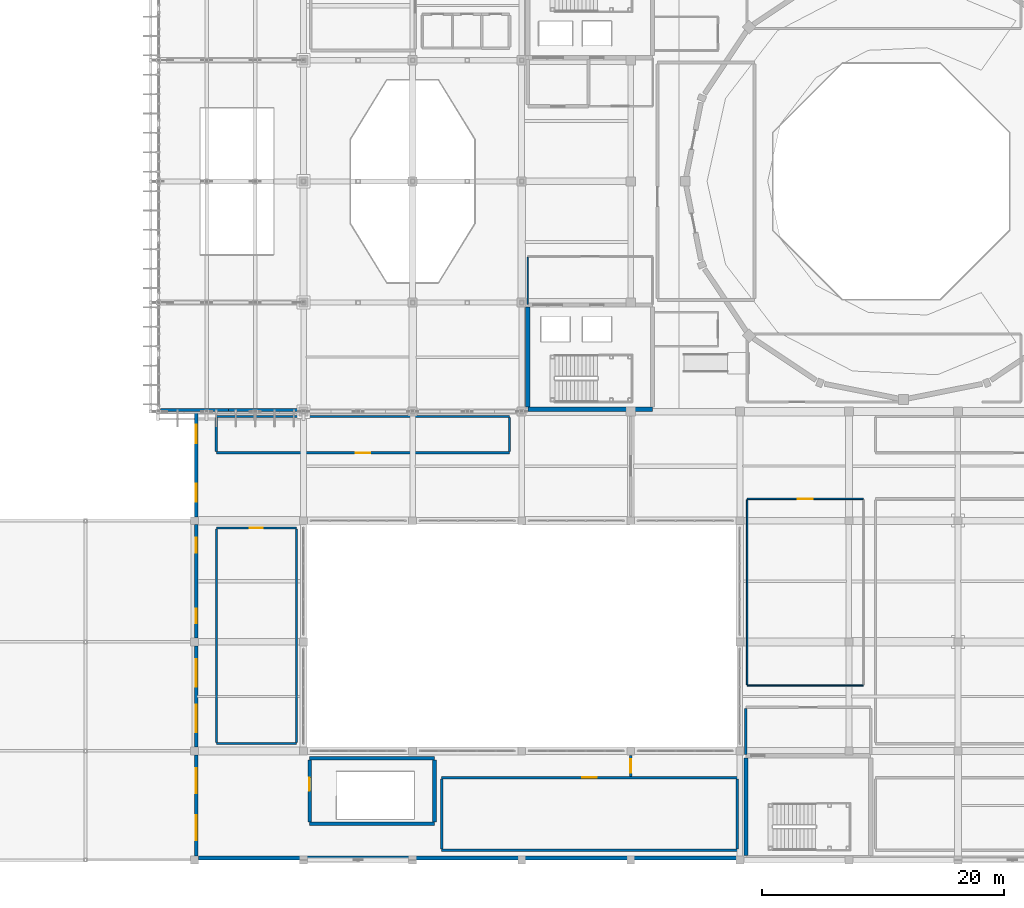
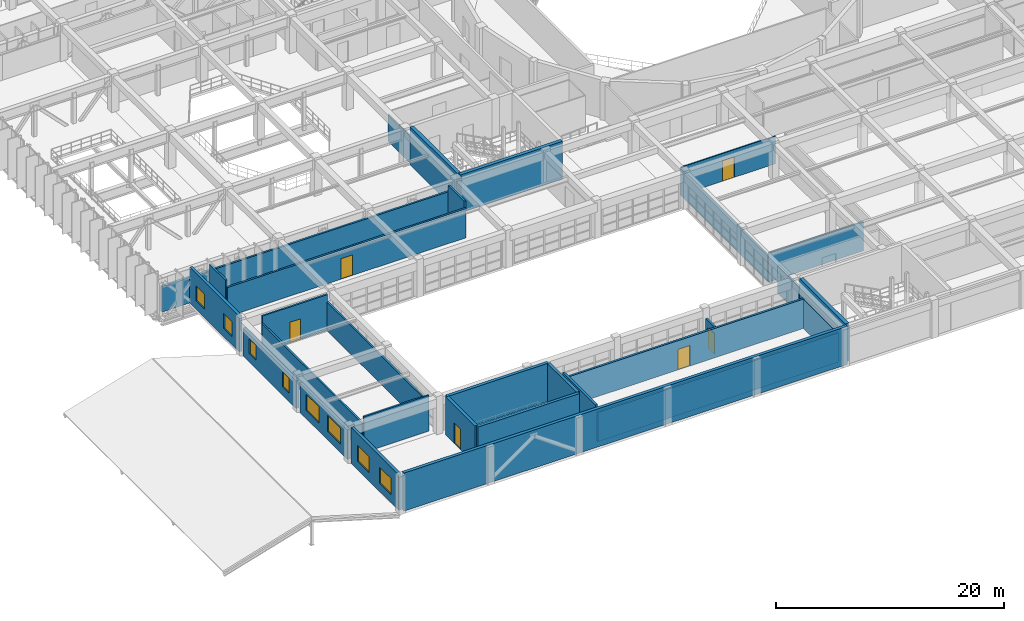
# One storey, part 108 of 130: 32 walls, 8 windows, 6 doors, 14 openings.
"""IFC4 building model written with IfcOpenShell, lengths in metres."""

from ifc_helpers import new_model, si_unit, direction, frame, frame_2d, origin, place, context, subcontext, project, spatial, rectangle, extrude, material, layer, layer_set, type_object, element, fill, save


model = new_model("IFC4")

# Units and contexts
model_context = context("Model", 3, precision=1e-05, world=origin(), true_north=direction((0.0, 1.0)))
body_context = subcontext(model_context, "Body", "Model", "MODEL_VIEW")
ifc_project = project(units=[si_unit("LENGTHUNIT", "METRE"), si_unit("AREAUNIT", "SQUARE_METRE"), si_unit("VOLUMEUNIT", "CUBIC_METRE"), si_unit("PLANEANGLEUNIT", "RADIAN"), si_unit("MASSUNIT", "GRAM", prefix="KILO")], contexts=[model_context])

# Site, building, storey
site_placement = place(None, origin())
site = spatial("IfcSite", under=ifc_project, at=site_placement, CompositionType="ELEMENT")
building_placement = place(site_placement, origin())
building = spatial("IfcBuilding", under=site, at=building_placement, Name="Miravela Opera House", CompositionType="ELEMENT")
storey_placement = place(building_placement, frame((0.0, 0.0, 9.52001953125)))
storey = spatial("IfcBuildingStorey", under=building, at=storey_placement, Name="L02", CompositionType="ELEMENT", Elevation=9.52001953125)

# Walls
ifc_material_1 = material(Name="Insulated bronze standing-seam acoustic wall")
ifc_layer_1 = layer(ifc_material_1, 0.260009765625)
ifc_layer_set_1 = layer_set([ifc_layer_1])
wall_type_1 = type_object("IfcWallType", Name="ARC-EW-CLAD-260", PredefinedType="STANDARD", material=ifc_layer_set_1)
wall_1_placement = place(storey_placement, frame((15.199951171875, 37.1298828125, 0.0), z_axis=(0.0, 0.0, 1.0), x_axis=(1.0, 0.0, 0.0)))
element("IfcWall", 1, at=wall_1_placement, inside=storey, type_object=wall_type_1, Name="Cantilever Truss CT-01 South Bronze Cladding Bay 1", PredefinedType="STANDARD", context=body_context, shape_type="SweptSolid", body=[
    extrude(rectangle(XDim=5.60009765625, YDim=0.260009765625, at=frame_2d((2.800048828125, 0.0))), origin(), (0.0, 0.0, 1.0), 2.7138671875),
])
wall_2_placement = place(storey_placement, frame((20.800048828125, 37.1298828125, 0.0), z_axis=(0.0, 0.0, 1.0), x_axis=(1.0, 0.0, 0.0)))
element("IfcWall", 2, at=wall_2_placement, inside=storey, type_object=wall_type_1, Name="Cantilever Truss CT-01 South Bronze Cladding Bay 2", PredefinedType="STANDARD", context=body_context, shape_type="SweptSolid", body=[
    extrude(rectangle(XDim=5.824951171875, YDim=0.260009765625, at=frame_2d((2.91259765625, 0.0))), origin(), (0.0, 0.0, 1.0), 2.7138671875),
])

# Wall, openings, windows
ifc_material_2 = material(Name="Insulated cream lime-stuccoed masonry", Category="masonry")
ifc_layer_2 = layer(ifc_material_2, 0.2900390625)
ifc_layer_set_2 = layer_set([ifc_layer_2])
wall_type_2 = type_object("IfcWallType", Name="ARC-EW-STUCCO-290", PredefinedType="STANDARD", material=ifc_layer_set_2)
wall_3_placement = place(storey_placement, frame((18.14990234375, 0.324951171875, 0.0), z_axis=(0.0, 0.0, 1.0), x_axis=(0.0, 1.0, 0.0)))
wall_3 = element("IfcWall", 3, at=wall_3_placement, inside=storey, type_object=wall_type_2, Name="Spanish Colonial Stucco Facade Wall L02-022", PredefinedType="STANDARD", context=body_context, shape_type="SweptSolid", body=[
    extrude(rectangle(XDim=8.35009765625, YDim=0.2900390625, at=frame_2d((4.175048828125, 0.0))), origin(), (0.0, 0.0, 1.0), 3.840087890625),
])
opening_1_placement = place(wall_3_placement, frame((1.324951171875, 0.0, 0.89990234375)))
opening_1 = element("IfcOpeningElement", 4, at=opening_1_placement, cuts=wall_3, Name="Opening W-33", PredefinedType="OPENING", context=body_context, shape_type="SweptSolid", body=[
    extrude(rectangle(XDim=2.06005859375, YDim=1.719970703125, at=frame_2d((1.030029296875, 0.85986328125))), frame((0.0, 0.155029296875, 0.0), z_axis=(0.0, -1.0, 0.0), x_axis=(1.0, 0.0, 0.0)), (0.0, 0.0, 1.0), 0.31005859375),
])
opening_2_placement = place(wall_3_placement, frame((5.18994140625, 0.0, 0.89990234375)))
opening_2 = element("IfcOpeningElement", 5, at=opening_2_placement, cuts=wall_3, Name="Opening W-33", PredefinedType="OPENING", context=body_context, shape_type="SweptSolid", body=[
    extrude(rectangle(XDim=2.06005859375, YDim=1.719970703125, at=frame_2d((1.030029296875, 0.85986328125))), frame((0.0, 0.155029296875, 0.0), z_axis=(0.0, -1.0, 0.0), x_axis=(1.0, 0.0, 0.0)), (0.0, 0.0, 1.0), 0.31005859375),
])
ifc_material_3 = material(Name="Bronze-anodised aluminium and acoustic low-E glass", Category="aluminium")
window_type_1 = type_object("IfcWindowType", Name="ARC-WIN-33", PartitioningType="DOUBLE_PANEL_VERTICAL", PredefinedType="WINDOW", material=ifc_material_3)
window_1_placement = place(opening_1_placement, origin())
window_1 = element("IfcWindow", 6, at=window_1_placement, inside=storey, type_object=window_type_1, Name="Window W-33 #067", OverallHeight=1.719970703125, OverallWidth=2.06005859375, PartitioningType="DOUBLE_PANEL_VERTICAL", PredefinedType="WINDOW", context=body_context, shape_type="SweptSolid", body=[
    extrude(rectangle(XDim=2.06005859375, YDim=1.719970703125, at=frame_2d((1.030029296875, 0.85986328125))), frame((0.0, 0.030029296875, 0.0), z_axis=(0.0, -1.0, 0.0), x_axis=(1.0, 0.0, 0.0)), (0.0, 0.0, 1.0), 0.06005859375),
])
fill(opening_1, window_1)
window_2_placement = place(opening_2_placement, origin())
window_2 = element("IfcWindow", 7, at=window_2_placement, inside=storey, type_object=window_type_1, Name="Window W-33 #068", OverallHeight=1.719970703125, OverallWidth=2.06005859375, PartitioningType="DOUBLE_PANEL_VERTICAL", PredefinedType="WINDOW", context=body_context, shape_type="SweptSolid", body=[
    extrude(rectangle(XDim=2.06005859375, YDim=1.719970703125, at=frame_2d((1.030029296875, 0.85986328125))), frame((0.0, 0.030029296875, 0.0), z_axis=(0.0, -1.0, 0.0), x_axis=(1.0, 0.0, 0.0)), (0.0, 0.0, 1.0), 0.06005859375),
])
fill(opening_2, window_2)

wall_4_placement = place(storey_placement, frame((18.14990234375, 9.324951171875, 0.0), z_axis=(0.0, 0.0, 1.0), x_axis=(0.0, 1.0, 0.0)))
wall_4 = element("IfcWall", 8, at=wall_4_placement, inside=storey, type_object=wall_type_2, Name="Spanish Colonial Stucco Facade Wall L02-023", PredefinedType="STANDARD", context=body_context, shape_type="SweptSolid", body=[
    extrude(rectangle(XDim=8.35009765625, YDim=0.2900390625, at=frame_2d((4.175048828125, 0.0))), origin(), (0.0, 0.0, 1.0), 3.169921875),
])
opening_3_placement = place(wall_4_placement, frame((1.22509765625, 0.0, 0.89990234375)))
opening_3 = element("IfcOpeningElement", 9, at=opening_3_placement, cuts=wall_4, Name="Opening W-34", PredefinedType="OPENING", context=body_context, shape_type="SweptSolid", body=[
    extrude(rectangle(XDim=2.280029296875, YDim=1.719970703125, at=frame_2d((1.14013671875, 0.85986328125))), frame((0.0, 0.155029296875, 0.0), z_axis=(0.0, -1.0, 0.0), x_axis=(1.0, 0.0, 0.0)), (0.0, 0.0, 1.0), 0.31005859375),
])
opening_4_placement = place(wall_4_placement, frame((4.969970703125, 0.0, 0.89990234375)))
opening_4 = element("IfcOpeningElement", 10, at=opening_4_placement, cuts=wall_4, Name="Opening W-34", PredefinedType="OPENING", context=body_context, shape_type="SweptSolid", body=[
    extrude(rectangle(XDim=2.280029296875, YDim=1.719970703125, at=frame_2d((1.14013671875, 0.85986328125))), frame((0.0, 0.155029296875, 0.0), z_axis=(0.0, -1.0, 0.0), x_axis=(1.0, 0.0, 0.0)), (0.0, 0.0, 1.0), 0.31005859375),
])
window_type_2 = type_object("IfcWindowType", Name="ARC-WIN-34", PartitioningType="TRIPLE_PANEL_VERTICAL", PredefinedType="WINDOW", material=ifc_material_3)
window_3_placement = place(opening_3_placement, origin())
window_3 = element("IfcWindow", 11, at=window_3_placement, inside=storey, type_object=window_type_2, Name="Window W-34 #069", OverallHeight=1.719970703125, OverallWidth=2.280029296875, PartitioningType="TRIPLE_PANEL_VERTICAL", PredefinedType="WINDOW", context=body_context, shape_type="SweptSolid", body=[
    extrude(rectangle(XDim=2.280029296875, YDim=1.719970703125, at=frame_2d((1.14013671875, 0.85986328125))), frame((0.0, 0.030029296875, 0.0), z_axis=(0.0, -1.0, 0.0), x_axis=(1.0, 0.0, 0.0)), (0.0, 0.0, 1.0), 0.06005859375),
])
fill(opening_3, window_3)
window_4_placement = place(opening_4_placement, origin())
window_4 = element("IfcWindow", 12, at=window_4_placement, inside=storey, type_object=window_type_2, Name="Window W-34 #070", OverallHeight=1.719970703125, OverallWidth=2.280029296875, PartitioningType="TRIPLE_PANEL_VERTICAL", PredefinedType="WINDOW", context=body_context, shape_type="SweptSolid", body=[
    extrude(rectangle(XDim=2.280029296875, YDim=1.719970703125, at=frame_2d((1.14013671875, 0.85986328125))), frame((0.0, 0.030029296875, 0.0), z_axis=(0.0, -1.0, 0.0), x_axis=(1.0, 0.0, 0.0)), (0.0, 0.0, 1.0), 0.06005859375),
])
fill(opening_4, window_4)

wall_5_placement = place(storey_placement, frame((18.14990234375, 18.324951171875, 0.0), z_axis=(0.0, 0.0, 1.0), x_axis=(0.0, 1.0, 0.0)))
wall_5 = element("IfcWall", 13, at=wall_5_placement, inside=storey, type_object=wall_type_2, Name="Spanish Colonial Stucco Facade Wall L02-024", PredefinedType="STANDARD", context=body_context, shape_type="SweptSolid", body=[
    extrude(rectangle(XDim=9.35009765625, YDim=0.2900390625, at=frame_2d((4.675048828125, 0.0))), origin(), (0.0, 0.0, 1.0), 2.969970703125),
])
opening_5_placement = place(wall_5_placement, frame((1.22509765625, 0.0, 0.89990234375)))
opening_5 = element("IfcOpeningElement", 14, at=opening_5_placement, cuts=wall_5, Name="Opening W-11", PredefinedType="OPENING", context=body_context, shape_type="SweptSolid", body=[
    extrude(rectangle(XDim=1.199951171875, YDim=1.60009765625, at=frame_2d((0.60009765625, 0.800048828125))), frame((0.0, 0.155029296875, 0.0), z_axis=(0.0, -1.0, 0.0), x_axis=(1.0, 0.0, 0.0)), (0.0, 0.0, 1.0), 0.31005859375),
])
opening_6_placement = place(wall_5_placement, frame((7.050048828125, 0.0, 0.89990234375)))
opening_6 = element("IfcOpeningElement", 15, at=opening_6_placement, cuts=wall_5, Name="Opening W-11", PredefinedType="OPENING", context=body_context, shape_type="SweptSolid", body=[
    extrude(rectangle(XDim=1.199951171875, YDim=1.60009765625, at=frame_2d((0.60009765625, 0.800048828125))), frame((0.0, 0.155029296875, 0.0), z_axis=(0.0, -1.0, 0.0), x_axis=(1.0, 0.0, 0.0)), (0.0, 0.0, 1.0), 0.31005859375),
])
window_type_3 = type_object("IfcWindowType", Name="ARC-WIN-11", PartitioningType="SINGLE_PANEL", PredefinedType="WINDOW", material=ifc_material_3)
window_5_placement = place(opening_5_placement, origin())
window_5 = element("IfcWindow", 16, at=window_5_placement, inside=storey, type_object=window_type_3, Name="Window W-11 #071", OverallHeight=1.60009765625, OverallWidth=1.199951171875, PartitioningType="SINGLE_PANEL", PredefinedType="WINDOW", context=body_context, shape_type="SweptSolid", body=[
    extrude(rectangle(XDim=1.199951171875, YDim=1.60009765625, at=frame_2d((0.60009765625, 0.800048828125))), frame((0.0, 0.030029296875, 0.0), z_axis=(0.0, -1.0, 0.0), x_axis=(1.0, 0.0, 0.0)), (0.0, 0.0, 1.0), 0.06005859375),
])
fill(opening_5, window_5)
window_6_placement = place(opening_6_placement, origin())
window_6 = element("IfcWindow", 17, at=window_6_placement, inside=storey, type_object=window_type_3, Name="Window W-11 #072", OverallHeight=1.60009765625, OverallWidth=1.199951171875, PartitioningType="SINGLE_PANEL", PredefinedType="WINDOW", context=body_context, shape_type="SweptSolid", body=[
    extrude(rectangle(XDim=1.199951171875, YDim=1.60009765625, at=frame_2d((0.60009765625, 0.800048828125))), frame((0.0, 0.030029296875, 0.0), z_axis=(0.0, -1.0, 0.0), x_axis=(1.0, 0.0, 0.0)), (0.0, 0.0, 1.0), 0.06005859375),
])
fill(opening_6, window_6)

wall_6_placement = place(storey_placement, frame((18.14990234375, 28.324951171875, 0.0), z_axis=(0.0, 0.0, 1.0), x_axis=(0.0, 1.0, 0.0)))
wall_6 = element("IfcWall", 18, at=wall_6_placement, inside=storey, type_object=wall_type_2, Name="Spanish Colonial Stucco Facade Wall L02-025", PredefinedType="STANDARD", context=body_context, shape_type="SweptSolid", body=[
    extrude(rectangle(XDim=8.675048828125, YDim=0.2900390625, at=frame_2d((4.33740234375, 0.0))), origin(), (0.0, 0.0, 1.0), 3.840087890625),
])
opening_7_placement = place(wall_6_placement, frame((1.22509765625, 0.0, 0.89990234375)))
opening_7 = element("IfcOpeningElement", 19, at=opening_7_placement, cuts=wall_6, Name="Opening W-12", PredefinedType="OPENING", context=body_context, shape_type="SweptSolid", body=[
    extrude(rectangle(XDim=1.5, YDim=1.60009765625, at=frame_2d((0.75, 0.800048828125))), frame((0.0, 0.155029296875, 0.0), z_axis=(0.0, -1.0, 0.0), x_axis=(1.0, 0.0, 0.0)), (0.0, 0.0, 1.0), 0.31005859375),
])
opening_8_placement = place(wall_6_placement, frame((6.074951171875, 0.0, 0.89990234375)))
opening_8 = element("IfcOpeningElement", 20, at=opening_8_placement, cuts=wall_6, Name="Opening W-12", PredefinedType="OPENING", context=body_context, shape_type="SweptSolid", body=[
    extrude(rectangle(XDim=1.5, YDim=1.60009765625, at=frame_2d((0.75, 0.800048828125))), frame((0.0, 0.155029296875, 0.0), z_axis=(0.0, -1.0, 0.0), x_axis=(1.0, 0.0, 0.0)), (0.0, 0.0, 1.0), 0.31005859375),
])
window_type_4 = type_object("IfcWindowType", Name="ARC-WIN-12", PartitioningType="DOUBLE_PANEL_VERTICAL", PredefinedType="WINDOW", material=ifc_material_3)
window_7_placement = place(opening_7_placement, origin())
window_7 = element("IfcWindow", 21, at=window_7_placement, inside=storey, type_object=window_type_4, Name="Window W-12 #073", OverallHeight=1.60009765625, OverallWidth=1.5, PartitioningType="DOUBLE_PANEL_VERTICAL", PredefinedType="WINDOW", context=body_context, shape_type="SweptSolid", body=[
    extrude(rectangle(XDim=1.5, YDim=1.60009765625, at=frame_2d((0.75, 0.800048828125))), frame((0.0, 0.030029296875, 0.0), z_axis=(0.0, -1.0, 0.0), x_axis=(1.0, 0.0, 0.0)), (0.0, 0.0, 1.0), 0.06005859375),
])
fill(opening_7, window_7)
window_8_placement = place(opening_8_placement, origin())
window_8 = element("IfcWindow", 22, at=window_8_placement, inside=storey, type_object=window_type_4, Name="Window W-12 #074", OverallHeight=1.60009765625, OverallWidth=1.5, PartitioningType="DOUBLE_PANEL_VERTICAL", PredefinedType="WINDOW", context=body_context, shape_type="SweptSolid", body=[
    extrude(rectangle(XDim=1.5, YDim=1.60009765625, at=frame_2d((0.75, 0.800048828125))), frame((0.0, 0.030029296875, 0.0), z_axis=(0.0, -1.0, 0.0), x_axis=(1.0, 0.0, 0.0)), (0.0, 0.0, 1.0), 0.06005859375),
])
fill(opening_8, window_8)

# Walls
ifc_material_4 = material(Name="Double-layer acoustic gypsum partition")
ifc_layer_3 = layer(ifc_material_4, 0.110107421875)
ifc_layer_set_3 = layer_set([ifc_layer_3])
wall_type_3 = type_object("IfcWallType", Name="ARC-PT-110", PredefinedType="PARTITIONING", material=ifc_layer_set_3)
wall_7_placement = place(storey_placement, frame((45.5, 45.85498046875, 0.0), z_axis=(0.0, 0.0, 1.0), x_axis=(0.0, 1.0, 0.0)))
element("IfcWall", 23, at=wall_7_placement, inside=storey, type_object=wall_type_3, Name="Passenger Lift Lobby K2 L02 Partition West", PredefinedType="PARTITIONING", context=body_context, shape_type="SweptSolid", body=[
    extrude(rectangle(XDim=3.89013671875, YDim=0.110107421875, at=frame_2d((1.945068359375, 0.0))), origin(), (0.0, 0.0, 1.0), 2.919921875),
])
wall_8_placement = place(storey_placement, frame((63.60009765625, 14.39990234375, 0.0), z_axis=(0.0, 0.0, 1.0), x_axis=(1.0, 0.0, 0.0)))
element("IfcWall", 24, at=wall_8_placement, inside=storey, type_object=wall_type_3, Name="Historical Period Tailoring Workshop Partition South", PredefinedType="PARTITIONING", context=body_context, shape_type="SweptSolid", body=[
    extrude(rectangle(XDim=9.599853515625, YDim=0.110107421875, at=frame_2d((4.7998046875, 0.0))), origin(), (0.0, 0.0, 1.0), 3.139892578125),
])

# Wall, opening, door
wall_9_placement = place(storey_placement, frame((63.60009765625, 29.800048828125, 0.0), z_axis=(0.0, 0.0, 1.0), x_axis=(1.0, 0.0, 0.0)))
wall_9 = element("IfcWall", 25, at=wall_9_placement, inside=storey, type_object=wall_type_3, Name="Historical Period Tailoring Workshop Partition North", PredefinedType="PARTITIONING", context=body_context, shape_type="SweptSolid", body=[
    extrude(rectangle(XDim=9.599853515625, YDim=0.110107421875, at=frame_2d((4.7998046875, 0.0))), origin(), (0.0, 0.0, 1.0), 2.969970703125),
])
opening_9_placement = place(wall_9_placement, frame((4.199951171875, 0.0, 0.0)))
opening_9 = element("IfcOpeningElement", 26, at=opening_9_placement, cuts=wall_9, Name="Opening ID-04", PredefinedType="OPENING", context=body_context, shape_type="SweptSolid", body=[
    extrude(rectangle(XDim=1.199951171875, YDim=2.199951171875, at=frame_2d((0.60009765625, 1.10009765625))), frame((0.0, 0.06494140625, 0.0), z_axis=(0.0, -1.0, 0.0), x_axis=(1.0, 0.0, 0.0)), (0.0, 0.0, 1.0), 0.130126953125),
])
ifc_material_5 = material(Name="Wide acoustic ensemble door")
door_type_1 = type_object("IfcDoorType", Name="ARC-DR-1200X2200", OperationType="NOTDEFINED", PredefinedType="DOOR", material=ifc_material_5)
door_1_placement = place(opening_9_placement, origin())
door_1 = element("IfcDoor", 27, at=door_1_placement, inside=storey, type_object=door_type_1, Name="Historical Period Tailoring Workshop Entry Door IDR-L02-0246", OperationType="SINGLE_SWING_RIGHT", OverallHeight=2.199951171875, OverallWidth=1.199951171875, PredefinedType="DOOR", context=body_context, shape_type="SweptSolid", body=[
    extrude(rectangle(XDim=1.199951171875, YDim=2.199951171875, at=frame_2d((0.60009765625, 1.10009765625))), frame((0.0, 0.02490234375, 0.0), z_axis=(0.0, -1.0, 0.0), x_axis=(1.0, 0.0, 0.0)), (0.0, 0.0, 1.0), 0.050048828125),
])
fill(opening_9, door_1)

# Walls
wall_10_placement = place(storey_placement, frame((63.60009765625, 14.455078125, 0.0), z_axis=(0.0, 0.0, 1.0), x_axis=(0.0, 1.0, 0.0)))
element("IfcWall", 28, at=wall_10_placement, inside=storey, type_object=wall_type_3, Name="Historical Period Tailoring Workshop Partition West", PredefinedType="PARTITIONING", context=body_context, shape_type="SweptSolid", body=[
    extrude(rectangle(XDim=15.2900390625, YDim=0.110107421875, at=frame_2d((7.64501953125, 0.0))), origin(), (0.0, 0.0, 1.0), 2.919921875),
])
ifc_material_6 = material(Name="Rehearsal isolated acoustic partition")
ifc_layer_4 = layer(ifc_material_6, 0.169921875)
ifc_layer_set_4 = layer_set([ifc_layer_4])
wall_type_4 = type_object("IfcWallType", Name="ARC-PT-170", PredefinedType="PARTITIONING", material=ifc_layer_set_4)
wall_11_placement = place(storey_placement, frame((19.800048828125, 9.60009765625, 0.0), z_axis=(0.0, 0.0, 1.0), x_axis=(1.0, 0.0, 0.0)))
element("IfcWall", 29, at=wall_11_placement, inside=storey, type_object=wall_type_4, Name="Costume Footwear and Leather Workshop Partition South", PredefinedType="PARTITIONING", context=body_context, shape_type="SweptSolid", body=[
    extrude(rectangle(XDim=6.599853515625, YDim=0.169921875, at=frame_2d((3.2998046875, 0.0))), origin(), (0.0, 0.0, 1.0), 3.840087890625),
])

# Wall, opening, door
wall_12_placement = place(storey_placement, frame((19.800048828125, 27.39990234375, 0.0), z_axis=(0.0, 0.0, 1.0), x_axis=(1.0, 0.0, 0.0)))
wall_12 = element("IfcWall", 30, at=wall_12_placement, inside=storey, type_object=wall_type_4, Name="Costume Footwear and Leather Workshop Partition North", PredefinedType="PARTITIONING", context=body_context, shape_type="SweptSolid", body=[
    extrude(rectangle(XDim=6.599853515625, YDim=0.169921875, at=frame_2d((3.2998046875, 0.0))), origin(), (0.0, 0.0, 1.0), 3.840087890625),
])
opening_10_placement = place(wall_12_placement, frame((2.75, 0.0, 0.0)))
opening_10 = element("IfcOpeningElement", 31, at=opening_10_placement, cuts=wall_12, Name="Opening ID-03", PredefinedType="OPENING", context=body_context, shape_type="SweptSolid", body=[
    extrude(rectangle(XDim=1.10009765625, YDim=2.199951171875, at=frame_2d((0.550048828125, 1.10009765625))), frame((0.0, 0.094970703125, 0.0), z_axis=(0.0, -1.0, 0.0), x_axis=(1.0, 0.0, 0.0)), (0.0, 0.0, 1.0), 0.18994140625),
])
ifc_material_7 = material(Name="Acoustic hardwood studio door", Category="wood")
door_type_2 = type_object("IfcDoorType", Name="ARC-DR-1100X2200", OperationType="NOTDEFINED", PredefinedType="DOOR", material=ifc_material_7)
door_2_placement = place(opening_10_placement, frame((1.10009765625, 0.0, 0.0), z_axis=(0.0, 0.0, 1.0), x_axis=(-1.0, 0.0, 0.0)))
door_2 = element("IfcDoor", 32, at=door_2_placement, inside=storey, type_object=door_type_2, Name="Costume Footwear and Leather Workshop Entry Door IDR-L02-0240", OperationType="SINGLE_SWING_LEFT", OverallHeight=2.199951171875, OverallWidth=1.10009765625, PredefinedType="DOOR", context=body_context, shape_type="SweptSolid", body=[
    extrude(rectangle(XDim=1.10009765625, YDim=2.199951171875, at=frame_2d((0.550048828125, 1.10009765625))), frame((0.0, 0.02490234375, 0.0), z_axis=(0.0, -1.0, 0.0), x_axis=(1.0, 0.0, 0.0)), (0.0, 0.0, 1.0), 0.050048828125),
])
fill(opening_10, door_2)

# Walls
for number, where, z_axis, x_axis, name in (
    (33, (19.800048828125, 9.68505859375, 0.0), (0.0, 0.0, 1.0), (0.0, 1.0, 0.0), "Costume Footwear and Leather Workshop Partition West"),
    (34, (26.39990234375, 9.68505859375, 0.0), (0.0, 0.0, 1.0), (0.0, 1.0, 0.0), "Costume Footwear and Leather Workshop Partition East"),
):
    element("IfcWall", number, at=place(storey_placement, frame(where, z_axis=z_axis, x_axis=x_axis)), inside=storey, type_object=wall_type_4, Name=name, PredefinedType="PARTITIONING", context=body_context, shape_type="SweptSolid", body=[
        extrude(rectangle(XDim=17.6298828125, YDim=0.169921875, at=frame_2d((8.81494140625, 0.0))), origin(), (0.0, 0.0, 1.0), 3.070068359375),
    ])
ifc_material_8 = material(Name="Corridor fire-resisting masonry partition", Category="masonry")
ifc_layer_5 = layer(ifc_material_8, 0.18994140625)
ifc_layer_set_5 = layer_set([ifc_layer_5])
wall_type_5 = type_object("IfcWallType", Name="ARC-PT-190", PredefinedType="PARTITIONING", material=ifc_layer_set_5)
wall_13_placement = place(storey_placement, frame((63.5, 8.695068359375, 0.0), z_axis=(0.0, 0.0, 1.0), x_axis=(0.0, 1.0, 0.0)))
element("IfcWall", 35, at=wall_13_placement, inside=storey, type_object=wall_type_5, Name="Passenger Lift Lobby K6 L02 Partition West", PredefinedType="PARTITIONING", context=body_context, shape_type="SweptSolid", body=[
    extrude(rectangle(XDim=3.809814453125, YDim=0.18994140625, at=frame_2d((1.90478515625, 0.0))), origin(), (0.0, 0.0, 1.0), 2.969970703125),
])

# Wall, opening, door
wall_14_placement = place(storey_placement, frame((19.800048828125, 33.60009765625, 0.0), z_axis=(0.0, 0.0, 1.0), x_axis=(1.0, 0.0, 0.0)))
wall_14 = element("IfcWall", 36, at=wall_14_placement, inside=storey, type_object=wall_type_5, Name="Principal Costume Fitting Salon Partition South", PredefinedType="PARTITIONING", context=body_context, shape_type="SweptSolid", body=[
    extrude(rectangle(XDim=24.199951171875, YDim=0.18994140625, at=frame_2d((12.10009765625, 0.0))), origin(), (0.0, 0.0, 1.0), 3.139892578125),
])
opening_11_placement = place(wall_14_placement, frame((11.5, 0.0, 0.0)))
opening_11 = element("IfcOpeningElement", 37, at=opening_11_placement, cuts=wall_14, Name="Opening ID-04", PredefinedType="OPENING", context=body_context, shape_type="SweptSolid", body=[
    extrude(rectangle(XDim=1.199951171875, YDim=2.199951171875, at=frame_2d((0.60009765625, 1.10009765625))), frame((0.0, 0.10498046875, 0.0), z_axis=(0.0, -1.0, 0.0), x_axis=(1.0, 0.0, 0.0)), (0.0, 0.0, 1.0), 0.2099609375),
])
door_3_placement = place(opening_11_placement, frame((1.199951171875, 0.0, 0.0), z_axis=(0.0, 0.0, 1.0), x_axis=(-1.0, 0.0, 0.0)))
door_3 = element("IfcDoor", 38, at=door_3_placement, inside=storey, type_object=door_type_1, Name="Principal Costume Fitting Salon Entry Door IDR-L02-0241", OperationType="SINGLE_SWING_RIGHT", OverallHeight=2.199951171875, OverallWidth=1.199951171875, PredefinedType="DOOR", context=body_context, shape_type="SweptSolid", body=[
    extrude(rectangle(XDim=1.199951171875, YDim=2.199951171875, at=frame_2d((0.60009765625, 1.10009765625))), frame((0.0, 0.02490234375, 0.0), z_axis=(0.0, -1.0, 0.0), x_axis=(1.0, 0.0, 0.0)), (0.0, 0.0, 1.0), 0.050048828125),
])
fill(opening_11, door_3)

# Walls
wall_15_placement = place(storey_placement, frame((19.800048828125, 36.60009765625, 0.0), z_axis=(0.0, 0.0, 1.0), x_axis=(1.0, 0.0, 0.0)))
element("IfcWall", 39, at=wall_15_placement, inside=storey, type_object=wall_type_5, Name="Principal Costume Fitting Salon Partition North", PredefinedType="PARTITIONING", context=body_context, shape_type="SweptSolid", body=[
    extrude(rectangle(XDim=24.199951171875, YDim=0.18994140625, at=frame_2d((12.10009765625, 0.0))), origin(), (0.0, 0.0, 1.0), 3.139892578125),
])
for number, where, z_axis, x_axis, name in (
    (40, (19.800048828125, 33.695068359375, 0.0), (0.0, 0.0, 1.0), (0.0, 1.0, 0.0), "Principal Costume Fitting Salon Partition West"),
    (41, (44.0, 33.695068359375, 0.0), (0.0, 0.0, 1.0), (0.0, 1.0, 0.0), "Principal Costume Fitting Salon Partition East"),
):
    element("IfcWall", number, at=place(storey_placement, frame(where, z_axis=z_axis, x_axis=x_axis)), inside=storey, type_object=wall_type_5, Name=name, PredefinedType="PARTITIONING", context=body_context, shape_type="SweptSolid", body=[
        extrude(rectangle(XDim=2.809814453125, YDim=0.18994140625, at=frame_2d((1.40478515625, 0.0))), origin(), (0.0, 0.0, 1.0), 3.840087890625),
    ])

# Wall, opening, door
wall_16_placement = place(storey_placement, frame((54.0, 6.8798828125, 0.0), z_axis=(0.0, 0.0, 1.0), x_axis=(0.0, 1.0, 0.0)))
wall_16 = element("IfcWall", 42, at=wall_16_placement, inside=storey, type_object=wall_type_5, Name="Corridor Fire Smoke Compartment Partition PT-SMOKE-L02-0967", PredefinedType="PARTITIONING", context=body_context, shape_type="SweptSolid", body=[
    extrude(rectangle(XDim=1.740234375, YDim=0.18994140625, at=frame_2d((0.8701171875, 0.0))), origin(), (0.0, 0.0, 1.0), 2.969970703125),
])
opening_12_placement = place(wall_16_placement, frame((0.320068359375, 0.0, 0.0)))
opening_12 = element("IfcOpeningElement", 43, at=opening_12_placement, cuts=wall_16, Name="Opening FD-01", PredefinedType="OPENING", context=body_context, shape_type="SweptSolid", body=[
    extrude(rectangle(XDim=1.10009765625, YDim=2.199951171875, at=frame_2d((0.550048828125, 1.10009765625))), frame((0.0, 0.10498046875, 0.0), z_axis=(0.0, -1.0, 0.0), x_axis=(1.0, 0.0, 0.0)), (0.0, 0.0, 1.0), 0.2099609375),
])
ifc_material_9 = material(Name="Fire-rated steel/hardwood exit stair door", Category="steel")
door_type_3 = type_object("IfcDoorType", Name="ARC-FD-1100X2200", OperationType="NOTDEFINED", PredefinedType="DOOR", material=ifc_material_9)
door_4_placement = place(opening_12_placement, frame((1.10009765625, 0.0, 0.0), z_axis=(0.0, 0.0, 1.0), x_axis=(-1.0, 0.0, 0.0)))
door_4 = element("IfcDoor", 44, at=door_4_placement, inside=storey, type_object=door_type_3, Name="Corridor Smoke Compartment Door 11 IDR-L02-0357", OperationType="SINGLE_SWING_RIGHT", OverallHeight=2.199951171875, OverallWidth=1.10009765625, PredefinedType="DOOR", context=body_context, shape_type="SweptSolid", body=[
    extrude(rectangle(XDim=1.10009765625, YDim=2.199951171875, at=frame_2d((0.550048828125, 1.10009765625))), frame((0.0, 0.02490234375, 0.0), z_axis=(0.0, -1.0, 0.0), x_axis=(1.0, 0.0, 0.0)), (0.0, 0.0, 1.0), 0.050048828125),
])
fill(opening_12, door_4)

# Wall
ifc_material_10 = material(Name="Workshop fire-resisting block partition")
ifc_layer_6 = layer(ifc_material_10, 0.2099609375)
ifc_layer_set_6 = layer_set([ifc_layer_6])
wall_type_6 = type_object("IfcWallType", Name="ARC-PT-210", PredefinedType="PARTITIONING", material=ifc_layer_set_6)
wall_17_placement = place(storey_placement, frame((38.39990234375, 0.800048828125, 0.0), z_axis=(0.0, 0.0, 1.0), x_axis=(1.0, 0.0, 0.0)))
element("IfcWall", 45, at=wall_17_placement, inside=storey, type_object=wall_type_6, Name="Female Chorus Dressing Suite Partition South", PredefinedType="PARTITIONING", context=body_context, shape_type="SweptSolid", body=[
    extrude(rectangle(XDim=24.400146484375, YDim=0.2099609375, at=frame_2d((12.2001953125, 0.0))), origin(), (0.0, 0.0, 1.0), 3.139892578125),
])

# Wall, opening, door
wall_18_placement = place(storey_placement, frame((38.39990234375, 6.800048828125, 0.0), z_axis=(0.0, 0.0, 1.0), x_axis=(1.0, 0.0, 0.0)))
wall_18 = element("IfcWall", 46, at=wall_18_placement, inside=storey, type_object=wall_type_6, Name="Female Chorus Dressing Suite Partition North", PredefinedType="PARTITIONING", context=body_context, shape_type="SweptSolid", body=[
    extrude(rectangle(XDim=24.400146484375, YDim=0.2099609375, at=frame_2d((12.2001953125, 0.0))), origin(), (0.0, 0.0, 1.0), 3.139892578125),
])
opening_13_placement = place(wall_18_placement, frame((11.60009765625, 0.0, 0.0)))
opening_13 = element("IfcOpeningElement", 47, at=opening_13_placement, cuts=wall_18, Name="Opening ID-04", PredefinedType="OPENING", context=body_context, shape_type="SweptSolid", body=[
    extrude(rectangle(XDim=1.199951171875, YDim=2.199951171875, at=frame_2d((0.60009765625, 1.10009765625))), frame((0.0, 0.114990234375, 0.0), z_axis=(0.0, -1.0, 0.0), x_axis=(1.0, 0.0, 0.0)), (0.0, 0.0, 1.0), 0.22998046875),
])
door_5_placement = place(opening_13_placement, frame((1.199951171875, 0.0, 0.0), z_axis=(0.0, 0.0, 1.0), x_axis=(-1.0, 0.0, 0.0)))
door_5 = element("IfcDoor", 48, at=door_5_placement, inside=storey, type_object=door_type_1, Name="Female Chorus Dressing Suite Entry Door IDR-L02-0233", OperationType="SINGLE_SWING_RIGHT", OverallHeight=2.199951171875, OverallWidth=1.199951171875, PredefinedType="DOOR", context=body_context, shape_type="SweptSolid", body=[
    extrude(rectangle(XDim=1.199951171875, YDim=2.199951171875, at=frame_2d((0.60009765625, 1.10009765625))), frame((0.0, 0.02490234375, 0.0), z_axis=(0.0, -1.0, 0.0), x_axis=(1.0, 0.0, 0.0)), (0.0, 0.0, 1.0), 0.050048828125),
])
fill(opening_13, door_5)

# Walls
wall_19_placement = place(storey_placement, frame((38.39990234375, 0.905029296875, 0.0), z_axis=(0.0, 0.0, 1.0), x_axis=(0.0, 1.0, 0.0)))
element("IfcWall", 49, at=wall_19_placement, inside=storey, type_object=wall_type_6, Name="Female Chorus Dressing Suite Partition West", PredefinedType="PARTITIONING", context=body_context, shape_type="SweptSolid", body=[
    extrude(rectangle(XDim=5.7900390625, YDim=0.2099609375, at=frame_2d((2.89501953125, 0.0))), origin(), (0.0, 0.0, 1.0), 3.840087890625),
])
wall_20_placement = place(storey_placement, frame((62.800048828125, 0.905029296875, 0.0), z_axis=(0.0, 0.0, 1.0), x_axis=(0.0, 1.0, 0.0)))
element("IfcWall", 50, at=wall_20_placement, inside=storey, type_object=wall_type_6, Name="Female Chorus Dressing Suite Partition East", PredefinedType="PARTITIONING", context=body_context, shape_type="SweptSolid", body=[
    extrude(rectangle(XDim=5.7900390625, YDim=0.2099609375, at=frame_2d((2.89501953125, 0.0))), origin(), (0.0, 0.0, 1.0), 3.139892578125),
])
ifc_material_11 = material(Name="Concrete C40/50", Category="concrete")
ifc_layer_7 = layer(ifc_material_11, 0.35009765625)
ifc_layer_set_7 = layer_set([ifc_layer_7])
wall_type_7 = type_object("IfcWallType", Name="STR-WALL-CORE-350", PredefinedType="SHEAR", material=ifc_layer_set_7)
wall_21_placement = place(storey_placement, frame((45.5, 37.199951171875, 0.0), z_axis=(0.0, 0.0, 1.0), x_axis=(1.0, 0.0, 0.0)))
element("IfcWall", 51, at=wall_21_placement, inside=storey, type_object=wall_type_7, Name="Core K2 Shear Wall South (L02)", PredefinedType="SHEAR", context=body_context, shape_type="SweptSolid", body=[
    extrude(rectangle(XDim=10.300048828125, YDim=0.35009765625, at=frame_2d((5.14990234375, 0.0))), origin(), (0.0, 0.0, 1.0), 4.080078125),
])
wall_22_placement = place(storey_placement, frame((45.5, 37.375, 0.0), z_axis=(0.0, 0.0, 1.0), x_axis=(0.0, 1.0, 0.0)))
element("IfcWall", 52, at=wall_22_placement, inside=storey, type_object=wall_type_7, Name="Core K2 Shear Wall West (L02)", PredefinedType="SHEAR", context=body_context, shape_type="SweptSolid", body=[
    extrude(rectangle(XDim=8.25, YDim=0.35009765625, at=frame_2d((4.125, 0.0))), origin(), (0.0, 0.0, 1.0), 4.080078125),
])
wall_23_placement = place(storey_placement, frame((63.5, 0.375, 0.0), z_axis=(0.0, 0.0, 1.0), x_axis=(0.0, 1.0, 0.0)))
element("IfcWall", 53, at=wall_23_placement, inside=storey, type_object=wall_type_7, Name="Core K6 Shear Wall West (L02)", PredefinedType="SHEAR", context=body_context, shape_type="SweptSolid", body=[
    extrude(rectangle(XDim=8.050048828125, YDim=0.35009765625, at=frame_2d((4.02490234375, 0.0))), origin(), (0.0, 0.0, 1.0), 4.080078125),
])
ifc_material_12 = material(Name="Concrete C35/45", Category="concrete")
ifc_layer_8 = layer(ifc_material_12, 0.320068359375)
ifc_layer_set_8 = layer_set([ifc_layer_8])
wall_type_8 = type_object("IfcWallType", Name="STR-WALL-PARTY-320", PredefinedType="SHEAR", material=ifc_layer_set_8)
wall_24_placement = place(storey_placement, frame((18.35009765625, 0.159912109375, 0.0), z_axis=(0.0, 0.0, 1.0), x_axis=(1.0, 0.0, 0.0)))
element("IfcWall", 54, at=wall_24_placement, inside=storey, type_object=wall_type_8, Name="South Lot-Line Blind Fire Party Wall West (L02)", PredefinedType="SHEAR", context=body_context, shape_type="SweptSolid", body=[
    extrude(rectangle(XDim=44.949951171875, YDim=0.320068359375, at=frame_2d((22.47509765625, 0.0))), origin(), (0.0, 0.0, 1.0), 4.080078125),
])
ifc_layer_9 = layer(ifc_material_12, 0.300048828125)
ifc_layer_set_9 = layer_set([ifc_layer_9])
wall_type_9 = type_object("IfcWallType", Name="STR-WALL-WING-300", PredefinedType="SHEAR", material=ifc_layer_set_9)
for number, where, z_axis, x_axis, name in (
    (55, (27.5, 3.0, 0.0), (0.0, 0.0, 1.0), (1.0, 0.0, 0.0), "Core ST-08 Shear Wall South (L02)"),
    (56, (27.5, 8.39990234375, 0.0), (0.0, 0.0, 1.0), (1.0, 0.0, 0.0), "Core ST-08 Shear Wall North (L02)"),
):
    element("IfcWall", number, at=place(storey_placement, frame(where, z_axis=z_axis, x_axis=x_axis)), inside=storey, type_object=wall_type_9, Name=name, PredefinedType="SHEAR", context=body_context, shape_type="SweptSolid", body=[
        extrude(rectangle(XDim=10.300048828125, YDim=0.300048828125, at=frame_2d((5.14990234375, 0.0))), origin(), (0.0, 0.0, 1.0), 4.080078125),
    ])

# Wall, opening, door
wall_25_placement = place(storey_placement, frame((27.5, 3.14990234375, 0.0), z_axis=(0.0, 0.0, 1.0), x_axis=(0.0, 1.0, 0.0)))
wall_25 = element("IfcWall", 57, at=wall_25_placement, inside=storey, type_object=wall_type_9, Name="Core ST-08 Shear Wall West (L02)", PredefinedType="SHEAR", context=body_context, shape_type="SweptSolid", body=[
    extrude(rectangle(XDim=5.10009765625, YDim=0.300048828125, at=frame_2d((2.550048828125, 0.0))), origin(), (0.0, 0.0, 1.0), 4.080078125),
])
opening_14_placement = place(wall_25_placement, frame((2.550048828125, 0.0, 0.0)))
opening_14 = element("IfcOpeningElement", 58, at=opening_14_placement, cuts=wall_25, Name="Opening FD-01", PredefinedType="OPENING", context=body_context, shape_type="SweptSolid", body=[
    extrude(rectangle(XDim=1.10009765625, YDim=2.199951171875, at=frame_2d((0.550048828125, 1.10009765625))), frame((0.0, 0.159912109375, 0.0), z_axis=(0.0, -1.0, 0.0), x_axis=(1.0, 0.0, 0.0)), (0.0, 0.0, 1.0), 0.320068359375),
])
door_6_placement = place(opening_14_placement, frame((1.10009765625, 0.0, 0.0), z_axis=(0.0, 0.0, 1.0), x_axis=(-1.0, 0.0, 0.0)))
door_6 = element("IfcDoor", 59, at=door_6_placement, inside=storey, type_object=door_type_3, Name="Exit Stair ST-08 Rated Door (L02) IDR-L02-0049", OperationType="SINGLE_SWING_LEFT", OverallHeight=2.199951171875, OverallWidth=1.10009765625, PredefinedType="DOOR", context=body_context, shape_type="SweptSolid", body=[
    extrude(rectangle(XDim=1.10009765625, YDim=2.199951171875, at=frame_2d((0.550048828125, 1.10009765625))), frame((0.0, 0.02490234375, 0.0), z_axis=(0.0, -1.0, 0.0), x_axis=(1.0, 0.0, 0.0)), (0.0, 0.0, 1.0), 0.050048828125),
])
fill(opening_14, door_6)

# Wall
wall_26_placement = place(storey_placement, frame((37.800048828125, 3.14990234375, 0.0), z_axis=(0.0, 0.0, 1.0), x_axis=(0.0, 1.0, 0.0)))
element("IfcWall", 60, at=wall_26_placement, inside=storey, type_object=wall_type_9, Name="Core ST-08 Shear Wall East (L02)", PredefinedType="SHEAR", context=body_context, shape_type="SweptSolid", body=[
    extrude(rectangle(XDim=5.10009765625, YDim=0.300048828125, at=frame_2d((2.550048828125, 0.0))), origin(), (0.0, 0.0, 1.0), 4.080078125),
])

save(model, "model.ifc")
